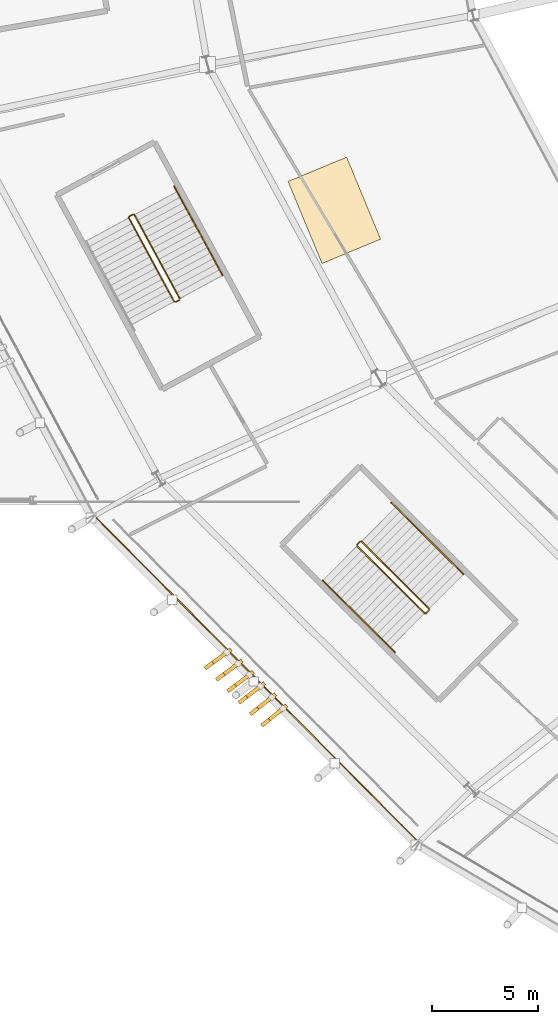
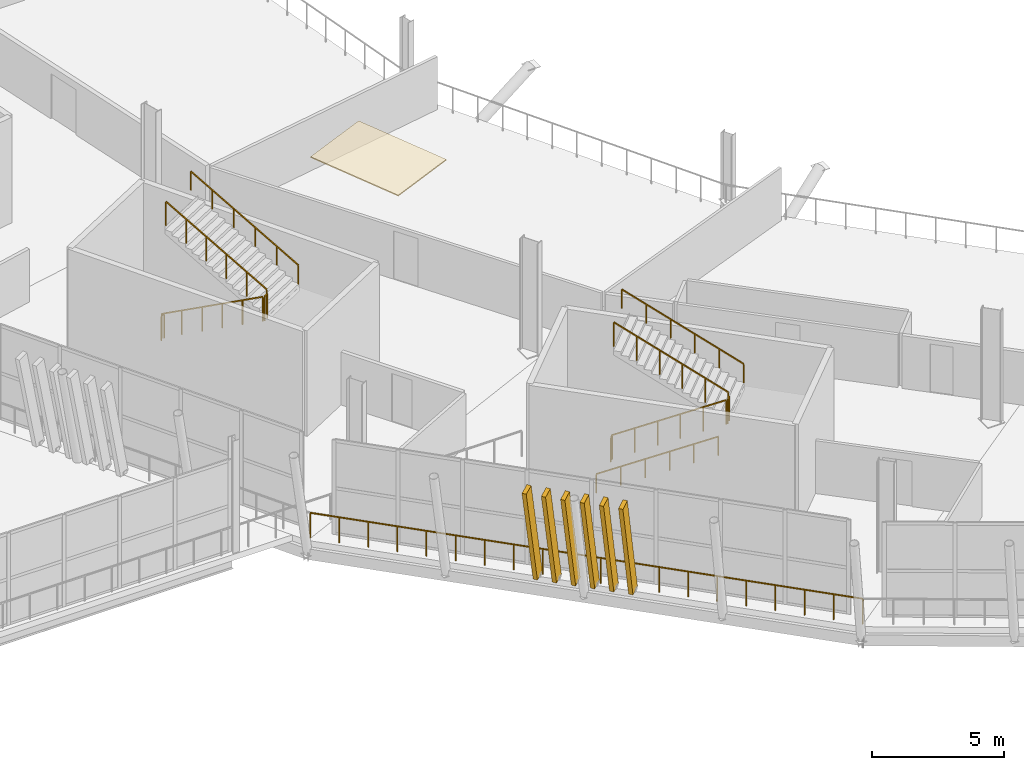
# One storey, part 140 of 168: 12 railings, 6 shading devices, 1 covering.
"""IFC4 building model written with IfcOpenShell, lengths in metres."""

from ifc_helpers import new_model, si_unit, direction, frame, origin, origin_2d, place, context, subcontext, project, spatial, polyline, rectangle, outline, extrude, material, layer, layer_set, material_profile, profile_set, type_object, element, save


model = new_model("IFC4")

# Units and contexts
model_context = context("Model", 3, precision=1e-05, world=origin(), true_north=direction((0.0, 1.0)))
body_context = subcontext(model_context, "Body", "Model", "MODEL_VIEW")
ifc_project = project(units=[si_unit("LENGTHUNIT", "METRE"), si_unit("AREAUNIT", "SQUARE_METRE"), si_unit("VOLUMEUNIT", "CUBIC_METRE"), si_unit("PLANEANGLEUNIT", "RADIAN"), si_unit("MASSUNIT", "GRAM", prefix="KILO")], contexts=[model_context])

# Site, building, storey
site_placement = place(None, origin())
site = spatial("IfcSite", under=ifc_project, at=site_placement, CompositionType="ELEMENT")
building_placement = place(site_placement, origin())
building = spatial("IfcBuilding", under=site, at=building_placement, Name="Zlatoyarsky Gate Stadium", CompositionType="ELEMENT")
storey_placement = place(building_placement, frame((0.0, 0.0, 15.60009765625)))
storey = spatial("IfcBuildingStorey", under=building, at=storey_placement, Name="L03", CompositionType="ELEMENT", Elevation=15.60009765625)

# Railings
ifc_material_1 = material(Name="Powder-coated steel tubular guardrail", Category="steel")
railing_type_1 = type_object("IfcRailingType", Name="CONCOURSE SLAB EDGE GUARDRAIL 1200", PredefinedType="GUARDRAIL", material=ifc_material_1)
railing_1_placement = place(storey_placement, frame((27.4091796875, 42.739013671875, 0.0)))
element("IfcRailing", 1, at=railing_1_placement, inside=storey, type_object=railing_type_1, Name="L03 outer slab edge guardrail 14", PredefinedType="GUARDRAIL", context=body_context, shape_type="SweptSolid", body=[
    extrude(rectangle(XDim=0.048095703125, YDim=0.048095703125, at=origin_2d()), frame((0.0, 0.0, 1.17578125), z_axis=(0.704921221099, -0.709285606822, 0.0), x_axis=(0.709285606822, 0.704921221099, 0.0)), (0.0, 0.0, 1.0), 21.760498046875),
    extrude(rectangle(XDim=0.0419921875, YDim=0.0419921875, at=origin_2d()), origin(), (0.0, 0.0, 1.0), 1.15185546875),
    extrude(rectangle(XDim=0.0419921875, YDim=0.0419921875, at=origin_2d()), frame((0.807373046875, -0.812255859375, 0.0)), (0.0, 0.0, 1.0), 1.15185546875),
    extrude(rectangle(XDim=0.0419921875, YDim=0.0419921875, at=origin_2d()), frame((1.61474609375, -1.624755859375, 0.0)), (0.0, 0.0, 1.0), 1.15185546875),
    extrude(rectangle(XDim=0.0419921875, YDim=0.0419921875, at=origin_2d()), frame((2.422119140625, -2.43701171875, 0.0)), (0.0, 0.0, 1.0), 1.15185546875),
    extrude(rectangle(XDim=0.0419921875, YDim=0.0419921875, at=origin_2d()), frame((3.229248046875, -3.249267578125, 0.0)), (0.0, 0.0, 1.0), 1.15185546875),
    extrude(rectangle(XDim=0.0419921875, YDim=0.0419921875, at=origin_2d()), frame((4.03662109375, -4.061767578125, 0.0)), (0.0, 0.0, 1.0), 1.15185546875),
    extrude(rectangle(XDim=0.0419921875, YDim=0.0419921875, at=origin_2d()), frame((4.843994140625, -4.8740234375, 0.0)), (0.0, 0.0, 1.0), 1.15185546875),
    extrude(rectangle(XDim=0.0419921875, YDim=0.0419921875, at=origin_2d()), frame((5.6513671875, -5.686279296875, 0.0)), (0.0, 0.0, 1.0), 1.15185546875),
    extrude(rectangle(XDim=0.0419921875, YDim=0.0419921875, at=origin_2d()), frame((6.458740234375, -6.498779296875, 0.0)), (0.0, 0.0, 1.0), 1.15185546875),
    extrude(rectangle(XDim=0.0419921875, YDim=0.0419921875, at=origin_2d()), frame((7.26611328125, -7.31103515625, 0.0)), (0.0, 0.0, 1.0), 1.15185546875),
    extrude(rectangle(XDim=0.0419921875, YDim=0.0419921875, at=origin_2d()), frame((8.0732421875, -8.123291015625, 0.0)), (0.0, 0.0, 1.0), 1.15185546875),
    extrude(rectangle(XDim=0.0419921875, YDim=0.0419921875, at=origin_2d()), frame((8.880615234375, -8.935546875, 0.0)), (0.0, 0.0, 1.0), 1.15185546875),
    extrude(rectangle(XDim=0.0419921875, YDim=0.0419921875, at=origin_2d()), frame((9.68798828125, -9.748046875, 0.0)), (0.0, 0.0, 1.0), 1.15185546875),
    extrude(rectangle(XDim=0.0419921875, YDim=0.0419921875, at=origin_2d()), frame((10.495361328125, -10.560302734375, 0.0)), (0.0, 0.0, 1.0), 1.15185546875),
    extrude(rectangle(XDim=0.0419921875, YDim=0.0419921875, at=origin_2d()), frame((11.302734375, -11.37255859375, 0.0)), (0.0, 0.0, 1.0), 1.15185546875),
    extrude(rectangle(XDim=0.0419921875, YDim=0.0419921875, at=origin_2d()), frame((12.110107421875, -12.18505859375, 0.0)), (0.0, 0.0, 1.0), 1.15185546875),
    extrude(rectangle(XDim=0.0419921875, YDim=0.0419921875, at=origin_2d()), frame((12.917236328125, -12.997314453125, 0.0)), (0.0, 0.0, 1.0), 1.15185546875),
    extrude(rectangle(XDim=0.0419921875, YDim=0.0419921875, at=origin_2d()), frame((13.724609375, -13.8095703125, 0.0)), (0.0, 0.0, 1.0), 1.15185546875),
    extrude(rectangle(XDim=0.0419921875, YDim=0.0419921875, at=origin_2d()), frame((14.531982421875, -14.6220703125, 0.0)), (0.0, 0.0, 1.0), 1.15185546875),
    extrude(rectangle(XDim=0.0419921875, YDim=0.0419921875, at=origin_2d()), frame((15.33935546875, -15.434326171875, 0.0)), (0.0, 0.0, 1.0), 1.15185546875),
])
ifc_material_2 = material(Name="Powder-coated steel stair guardrail", Category="steel")
railing_type_2 = type_object("IfcRailingType", Name="PAINTED STEEL STAIR WELL GUARDRAIL 1150", PredefinedType="GUARDRAIL", material=ifc_material_2)
railing_2_placement = place(storey_placement, frame((39.829345703125, 41.318603515625, 0.162353515625)))
element("IfcRailing", 2, at=railing_2_placement, inside=storey, type_object=railing_type_2, Name="ST-08 L03 stair guard 1", PredefinedType="GUARDRAIL", context=body_context, shape_type="SweptSolid", body=[
    extrude(rectangle(XDim=0.048095703125, YDim=0.048095703125, at=origin_2d()), frame((0.0, 0.0, 1.1259765625), z_axis=(0.623321812894, -0.620173241055, 0.47629304913), x_axis=(0.705314101777, 0.708894927217, 0.0)), (0.0, 0.0, 1.0), 5.11767578125),
    extrude(rectangle(XDim=0.0419921875, YDim=0.0419921875, at=origin_2d()), origin(), (0.0, 0.0, 1.0), 1.101806640625),
    extrude(rectangle(XDim=0.0419921875, YDim=0.0419921875, at=origin_2d()), frame((0.637939453125, -0.634765625, 0.487548828125)), (0.0, 0.0, 1.0), 1.101806640625),
    extrude(rectangle(XDim=0.0419921875, YDim=0.0419921875, at=origin_2d()), frame((1.27587890625, -1.26953125, 0.97509765625)), (0.0, 0.0, 1.0), 1.101806640625),
    extrude(rectangle(XDim=0.0419921875, YDim=0.0419921875, at=origin_2d()), frame((1.9140625, -1.904296875, 1.46240234375)), (0.0, 0.0, 1.0), 1.101806640625),
    extrude(rectangle(XDim=0.0419921875, YDim=0.0419921875, at=origin_2d()), frame((2.552001953125, -2.5390625, 1.949951171875)), (0.0, 0.0, 1.0), 1.101806640625),
    extrude(rectangle(XDim=0.0419921875, YDim=0.0419921875, at=origin_2d()), frame((3.18994140625, -3.173828125, 2.4375)), (0.0, 0.0, 1.0), 1.101806640625),
])
railing_3_placement = place(storey_placement, frame((43.090087890625, 38.14501953125, 2.599853515625)))
element("IfcRailing", 3, at=railing_3_placement, inside=storey, type_object=railing_type_2, Name="ST-08 L03 stair guard 2", PredefinedType="GUARDRAIL", context=body_context, shape_type="SweptSolid", body=[
    extrude(rectangle(XDim=0.048095703125, YDim=0.048095703125, at=origin_2d()), frame((0.0, 0.0, 1.1259765625), z_axis=(0.705884473151, 0.708326979978, 0.0), x_axis=(-0.708326979978, 0.705884473151, 0.0)), (0.0, 0.0, 1.0), 0.199951171875),
    extrude(rectangle(XDim=0.0419921875, YDim=0.0419921875, at=origin_2d()), origin(), (0.0, 0.0, 1.0), 1.101806640625),
    extrude(rectangle(XDim=0.0419921875, YDim=0.0419921875, at=origin_2d()), frame((0.14111328125, 0.1416015625, 0.0)), (0.0, 0.0, 1.0), 1.101806640625),
])
railing_4_placement = place(storey_placement, frame((43.23095703125, 38.357421875, 2.762451171875)))
element("IfcRailing", 4, at=railing_4_placement, inside=storey, type_object=railing_type_2, Name="ST-08 L03 stair guard 3", PredefinedType="GUARDRAIL", context=body_context, shape_type="SweptSolid", body=[
    extrude(rectangle(XDim=0.048095703125, YDim=0.048095703125, at=origin_2d()), frame((0.0, 0.0, 1.1259765625), z_axis=(-0.623350982153, 0.620154799724, 0.476278886188), x_axis=(-0.705286975187, -0.708921915751, 0.0)), (0.0, 0.0, 1.0), 5.117919921875),
    extrude(rectangle(XDim=0.0419921875, YDim=0.0419921875, at=origin_2d()), origin(), (0.0, 0.0, 1.0), 1.101806640625),
    extrude(rectangle(XDim=0.0419921875, YDim=0.0419921875, at=origin_2d()), frame((-0.637939453125, 0.634765625, 0.487548828125)), (0.0, 0.0, 1.0), 1.101806640625),
    extrude(rectangle(XDim=0.0419921875, YDim=0.0419921875, at=origin_2d()), frame((-1.276123046875, 1.26953125, 0.97509765625)), (0.0, 0.0, 1.0), 1.101806640625),
    extrude(rectangle(XDim=0.0419921875, YDim=0.0419921875, at=origin_2d()), frame((-1.9140625, 1.904296875, 1.46240234375)), (0.0, 0.0, 1.0), 1.101806640625),
    extrude(rectangle(XDim=0.0419921875, YDim=0.0419921875, at=origin_2d()), frame((-2.55224609375, 2.5390625, 1.949951171875)), (0.0, 0.0, 1.0), 1.101806640625),
    extrude(rectangle(XDim=0.0419921875, YDim=0.0419921875, at=origin_2d()), frame((-3.190185546875, 3.173828125, 2.4375)), (0.0, 0.0, 1.0), 1.101806640625),
])
railing_5_placement = place(storey_placement, frame((39.8291015625, 41.389404296875, 0.0)))
element("IfcRailing", 5, at=railing_5_placement, inside=storey, type_object=railing_type_2, Name="ST-08 L03 stair guard 4", PredefinedType="GUARDRAIL", context=body_context, shape_type="SweptSolid", body=[
    extrude(rectangle(XDim=0.048095703125, YDim=0.048095703125, at=origin_2d()), frame((0.0, 0.0, 1.1259765625), z_axis=(0.705884473151, 0.708326979978, 0.0), x_axis=(-0.708326979978, 0.705884473151, 0.0)), (0.0, 0.0, 1.0), 0.199951171875),
    extrude(rectangle(XDim=0.0419921875, YDim=0.0419921875, at=origin_2d()), origin(), (0.0, 0.0, 1.0), 1.101806640625),
    extrude(rectangle(XDim=0.0419921875, YDim=0.0419921875, at=origin_2d()), frame((0.14111328125, 0.1416015625, 0.0)), (0.0, 0.0, 1.0), 1.101806640625),
])
railing_6_placement = place(storey_placement, frame((29.03515625, 56.83349609375, 0.162353515625)))
element("IfcRailing", 6, at=railing_6_placement, inside=storey, type_object=railing_type_2, Name="ST-15 L03 stair guard 1", PredefinedType="GUARDRAIL", context=body_context, shape_type="SweptSolid", body=[
    extrude(rectangle(XDim=0.048095703125, YDim=0.048095703125, at=origin_2d()), frame((0.0, 0.0, 1.1259765625), z_axis=(0.419324818617, -0.772864776611, 0.476284299098), x_axis=(0.878963249763, 0.476889510858, 0.0)), (0.0, 0.0, 1.0), 5.11767578125),
    extrude(rectangle(XDim=0.0419921875, YDim=0.0419921875, at=origin_2d()), origin(), (0.0, 0.0, 1.0), 1.101806640625),
    extrude(rectangle(XDim=0.0419921875, YDim=0.0419921875, at=origin_2d()), frame((0.42919921875, -0.791015625, 0.487548828125)), (0.0, 0.0, 1.0), 1.101806640625),
    extrude(rectangle(XDim=0.0419921875, YDim=0.0419921875, at=origin_2d()), frame((0.8583984375, -1.58203125, 0.97509765625)), (0.0, 0.0, 1.0), 1.101806640625),
    extrude(rectangle(XDim=0.0419921875, YDim=0.0419921875, at=origin_2d()), frame((1.28759765625, -2.373291015625, 1.46240234375)), (0.0, 0.0, 1.0), 1.101806640625),
    extrude(rectangle(XDim=0.0419921875, YDim=0.0419921875, at=origin_2d()), frame((1.716796875, -3.164306640625, 1.949951171875)), (0.0, 0.0, 1.0), 1.101806640625),
    extrude(rectangle(XDim=0.0419921875, YDim=0.0419921875, at=origin_2d()), frame((2.14599609375, -3.955322265625, 2.4375)), (0.0, 0.0, 1.0), 1.101806640625),
])
railing_7_placement = place(storey_placement, frame((31.2490234375, 52.85791015625, 2.599853515625)))
element("IfcRailing", 7, at=railing_7_placement, inside=storey, type_object=railing_type_2, Name="ST-15 L03 stair guard 2", PredefinedType="GUARDRAIL", context=body_context, shape_type="SweptSolid", body=[
    extrude(rectangle(XDim=0.048095703125, YDim=0.048095703125, at=origin_2d()), frame((0.0, 0.0, 1.1259765625), z_axis=(0.878780312785, 0.477226530971, 0.0), x_axis=(-0.477226530971, 0.878780312785, 0.0)), (0.0, 0.0, 1.0), 0.199951171875),
    extrude(rectangle(XDim=0.0419921875, YDim=0.0419921875, at=origin_2d()), origin(), (0.0, 0.0, 1.0), 1.101806640625),
    extrude(rectangle(XDim=0.0419921875, YDim=0.0419921875, at=origin_2d()), frame((0.17578125, 0.095458984375, 0.0)), (0.0, 0.0, 1.0), 1.101806640625),
])
railing_8_placement = place(storey_placement, frame((31.44482421875, 53.021240234375, 2.762451171875)))
element("IfcRailing", 8, at=railing_8_placement, inside=storey, type_object=railing_type_2, Name="ST-15 L03 stair guard 3", PredefinedType="GUARDRAIL", context=body_context, shape_type="SweptSolid", body=[
    extrude(rectangle(XDim=0.048095703125, YDim=0.048095703125, at=origin_2d()), frame((0.0, 0.0, 1.1259765625), z_axis=(-0.419324818617, 0.772864776611, 0.476284299098), x_axis=(-0.878963249763, -0.476889510858, 0.0)), (0.0, 0.0, 1.0), 5.11767578125),
    extrude(rectangle(XDim=0.0419921875, YDim=0.0419921875, at=origin_2d()), origin(), (0.0, 0.0, 1.0), 1.101806640625),
    extrude(rectangle(XDim=0.0419921875, YDim=0.0419921875, at=origin_2d()), frame((-0.42919921875, 0.791015625, 0.487548828125)), (0.0, 0.0, 1.0), 1.101806640625),
    extrude(rectangle(XDim=0.0419921875, YDim=0.0419921875, at=origin_2d()), frame((-0.8583984375, 1.58203125, 0.97509765625)), (0.0, 0.0, 1.0), 1.101806640625),
    extrude(rectangle(XDim=0.0419921875, YDim=0.0419921875, at=origin_2d()), frame((-1.28759765625, 2.373291015625, 1.46240234375)), (0.0, 0.0, 1.0), 1.101806640625),
    extrude(rectangle(XDim=0.0419921875, YDim=0.0419921875, at=origin_2d()), frame((-1.716796875, 3.164306640625, 1.949951171875)), (0.0, 0.0, 1.0), 1.101806640625),
    extrude(rectangle(XDim=0.0419921875, YDim=0.0419921875, at=origin_2d()), frame((-2.14599609375, 3.955322265625, 2.4375)), (0.0, 0.0, 1.0), 1.101806640625),
])
railing_9_placement = place(storey_placement, frame((29.05517578125, 56.901123046875, 0.0)))
element("IfcRailing", 9, at=railing_9_placement, inside=storey, type_object=railing_type_2, Name="ST-15 L03 stair guard 4", PredefinedType="GUARDRAIL", context=body_context, shape_type="SweptSolid", body=[
    extrude(rectangle(XDim=0.048095703125, YDim=0.048095703125, at=origin_2d()), frame((0.0, 0.0, 1.1259765625), z_axis=(0.878780312785, 0.477226530971, 0.0), x_axis=(-0.477226530971, 0.878780312785, 0.0)), (0.0, 0.0, 1.0), 0.199951171875),
    extrude(rectangle(XDim=0.0419921875, YDim=0.0419921875, at=origin_2d()), origin(), (0.0, 0.0, 1.0), 1.101806640625),
    extrude(rectangle(XDim=0.0419921875, YDim=0.0419921875, at=origin_2d()), frame((0.17578125, 0.095458984375, 0.0)), (0.0, 0.0, 1.0), 1.101806640625),
])

# Covering
ifc_material_3 = material(Name="Perforated anodised aluminium acoustic ceiling", Category="aluminium")
ifc_layer = layer(ifc_material_3, 0.050048828125)
ifc_layer_set = layer_set([ifc_layer], Name="Perforated anodised aluminium acoustic ceiling")
covering_type = type_object("IfcCoveringType", Name="PERFORATED ACOUSTIC BAFFLE CEILING 50", PredefinedType="CEILING", material=ifc_layer_set)
covering_placement = place(storey_placement, frame((0.0, 0.0, 4.849853515625)))
element("IfcCovering", 10, at=covering_placement, inside=storey, type_object=covering_type, Name="L03 box gallery acoustic ceiling 05", PredefinedType="CEILING", context=body_context, shape_type="SweptSolid", body=[
    extrude(outline(polyline([(39.335205078125, 59.706298828125), (40.9423828125, 55.825927734375), (38.1708984375, 54.677734375), (36.5634765625, 58.55810546875), (39.335205078125, 59.706298828125)])), origin(), (0.0, 0.0, 1.0), 0.050048828125),
])

# Shading devices
ifc_material_4 = material(Name="Precast concrete C40/50 stone-toned architectural rib", Category="masonry")
ifc_material_profile = material_profile(ifc_material_4, rectangle(XDim=0.179931640625, YDim=0.47998046875, at=origin_2d()), Name="RIB 180X480")
ifc_profile_set = profile_set([ifc_material_profile], Name="Precast concrete C40/50 stone-toned architectural rib")
shading_device_type = type_object("IfcShadingDeviceType", Name="PRECAST RIBBED BOWL LOUVRE FIN 180X480", PredefinedType="JALOUSIE", material=ifc_profile_set)
for number, where, z_axis, x_axis, name in (
    (11, (33.6787109375, 36.29150390625, -0.010009765625), (-0.178764838979, -0.130791079676, 0.975159897567), (0.590473353714, -0.807057134628, 0.0), "Leaning bowl louvre fin L03-14-1"),
    (12, (34.207275390625, 35.759521484375, -0.010009765625), (-0.177539254658, -0.132426402323, 0.975163094576), (0.597894223616, -0.801575010443, 0.0), "Leaning bowl louvre fin L03-14-2"),
    (13, (34.73583984375, 35.2275390625, -0.010009765625), (-0.176314133342, -0.134011003117, 0.975168896872), (0.605118362846, -0.796135520465, 0.0), "Leaning bowl louvre fin L03-14-3"),
    (14, (35.2646484375, 34.695556640625, -0.010009765625), (-0.175088294997, -0.135595078764, 0.975170786873), (0.61229416772, -0.790630034957, 0.0), "Leaning bowl louvre fin L03-14-4"),
    (15, (35.793212890625, 34.163330078125, -0.010009765625), (-0.173861754368, -0.137178610191, 0.975168764509), (0.619419865721, -0.785059889404, 0.0), "Leaning bowl louvre fin L03-14-5"),
    (16, (36.32177734375, 33.63134765625, -0.010009765625), (-0.172634526226, -0.138761578346, 0.975162829854), (0.626493721228, -0.779426466873, 0.0), "Leaning bowl louvre fin L03-14-6"),
):
    element("IfcShadingDevice", number, at=place(storey_placement, frame(where, z_axis=z_axis, x_axis=x_axis)), inside=storey, type_object=shading_device_type, Name=name, PredefinedType="JALOUSIE", context=body_context, shape_type="SweptSolid", body=[
        extrude(rectangle(XDim=0.179931640625, YDim=0.47998046875, at=origin_2d()), origin(), (0.0, 0.0, 1.0), 4.778564453125),
    ])

# Railings
ifc_material_5 = material(Name="Brushed stainless steel 316 handrail", Category="steel")
railing_type_3 = type_object("IfcRailingType", Name="STAINLESS STEEL TUBULAR HANDRAIL 900", PredefinedType="HANDRAIL", material=ifc_material_5)
railing_10_placement = place(storey_placement, frame((38.20703125, 39.688232421875, 0.16650390625)))
element("IfcRailing", 17, at=railing_10_placement, inside=storey, type_object=railing_type_3, Name="ST-08 L03 stair handrail 1", PredefinedType="HANDRAIL", context=body_context, shape_type="SweptSolid", body=[
    extrude(rectangle(XDim=0.048095703125, YDim=0.048095703125, at=origin_2d()), frame((0.0, 0.0, 0.8759765625), z_axis=(0.623349539585, -0.620174204722, 0.476255506316), x_axis=(0.705298886343, 0.708910065469, 0.0)), (0.0, 0.0, 1.0), 5.458984375),
    extrude(rectangle(XDim=0.0419921875, YDim=0.0419921875, at=origin_2d()), origin(), (0.0, 0.0, 1.0), 0.851806640625),
    extrude(rectangle(XDim=0.0419921875, YDim=0.0419921875, at=origin_2d()), frame((0.6806640625, -0.677001953125, 0.52001953125)), (0.0, 0.0, 1.0), 0.851806640625),
    extrude(rectangle(XDim=0.0419921875, YDim=0.0419921875, at=origin_2d()), frame((1.361083984375, -1.354248046875, 1.0400390625)), (0.0, 0.0, 1.0), 0.851806640625),
    extrude(rectangle(XDim=0.0419921875, YDim=0.0419921875, at=origin_2d()), frame((2.041748046875, -2.03125, 1.559814453125)), (0.0, 0.0, 1.0), 0.851806640625),
    extrude(rectangle(XDim=0.0419921875, YDim=0.0419921875, at=origin_2d()), frame((2.72216796875, -2.70849609375, 2.079833984375)), (0.0, 0.0, 1.0), 0.851806640625),
    extrude(rectangle(XDim=0.0419921875, YDim=0.0419921875, at=origin_2d()), frame((3.40283203125, -3.385498046875, 2.599853515625)), (0.0, 0.0, 1.0), 0.851806640625),
])
railing_11_placement = place(storey_placement, frame((44.85302734375, 39.98779296875, 2.766357421875)))
element("IfcRailing", 18, at=railing_11_placement, inside=storey, type_object=railing_type_3, Name="ST-08 L03 stair handrail 2", PredefinedType="HANDRAIL", context=body_context, shape_type="SweptSolid", body=[
    extrude(rectangle(XDim=0.048095703125, YDim=0.048095703125, at=origin_2d()), frame((0.0, 0.0, 0.8759765625), z_axis=(-0.623308915757, 0.620178283332, 0.476303361757), x_axis=(-0.705324317314, -0.708884763136, 0.0)), (0.0, 0.0, 1.0), 5.458984375),
    extrude(rectangle(XDim=0.0419921875, YDim=0.0419921875, at=origin_2d()), origin(), (0.0, 0.0, 1.0), 0.851806640625),
    extrude(rectangle(XDim=0.0419921875, YDim=0.0419921875, at=origin_2d()), frame((-0.680419921875, 0.677001953125, 0.52001953125)), (0.0, 0.0, 1.0), 0.851806640625),
    extrude(rectangle(XDim=0.0419921875, YDim=0.0419921875, at=origin_2d()), frame((-1.361083984375, 1.354248046875, 1.0400390625)), (0.0, 0.0, 1.0), 0.851806640625),
    extrude(rectangle(XDim=0.0419921875, YDim=0.0419921875, at=origin_2d()), frame((-2.04150390625, 2.03125, 1.56005859375)), (0.0, 0.0, 1.0), 0.851806640625),
    extrude(rectangle(XDim=0.0419921875, YDim=0.0419921875, at=origin_2d()), frame((-2.72216796875, 2.70849609375, 2.080078125)), (0.0, 0.0, 1.0), 0.851806640625),
    extrude(rectangle(XDim=0.0419921875, YDim=0.0419921875, at=origin_2d()), frame((-3.402587890625, 3.385498046875, 2.60009765625)), (0.0, 0.0, 1.0), 0.851806640625),
])
railing_12_placement = place(storey_placement, frame((33.466552734375, 54.117919921875, 2.766357421875)))
element("IfcRailing", 19, at=railing_12_placement, inside=storey, type_object=railing_type_3, Name="ST-15 L03 stair handrail 2", PredefinedType="HANDRAIL", context=body_context, shape_type="SweptSolid", body=[
    extrude(rectangle(XDim=0.048095703125, YDim=0.048095703125, at=origin_2d()), frame((0.0, 0.0, 0.8759765625), z_axis=(-0.419307718725, 0.772874999468, 0.476282764977), x_axis=(-0.878974045326, -0.476869612833, 0.0)), (0.0, 0.0, 1.0), 5.459228515625),
    extrude(rectangle(XDim=0.0419921875, YDim=0.0419921875, at=origin_2d()), origin(), (0.0, 0.0, 1.0), 0.851806640625),
    extrude(rectangle(XDim=0.0419921875, YDim=0.0419921875, at=origin_2d()), frame((-0.457763671875, 0.84375, 0.52001953125)), (0.0, 0.0, 1.0), 0.851806640625),
    extrude(rectangle(XDim=0.0419921875, YDim=0.0419921875, at=origin_2d()), frame((-0.91552734375, 1.687744140625, 1.0400390625)), (0.0, 0.0, 1.0), 0.851806640625),
    extrude(rectangle(XDim=0.0419921875, YDim=0.0419921875, at=origin_2d()), frame((-1.37353515625, 2.531494140625, 1.56005859375)), (0.0, 0.0, 1.0), 0.851806640625),
    extrude(rectangle(XDim=0.0419921875, YDim=0.0419921875, at=origin_2d()), frame((-1.831298828125, 3.37548828125, 2.080078125)), (0.0, 0.0, 1.0), 0.851806640625),
    extrude(rectangle(XDim=0.0419921875, YDim=0.0419921875, at=origin_2d()), frame((-2.2890625, 4.21923828125, 2.60009765625)), (0.0, 0.0, 1.0), 0.851806640625),
])

save(model, "model.ifc")
